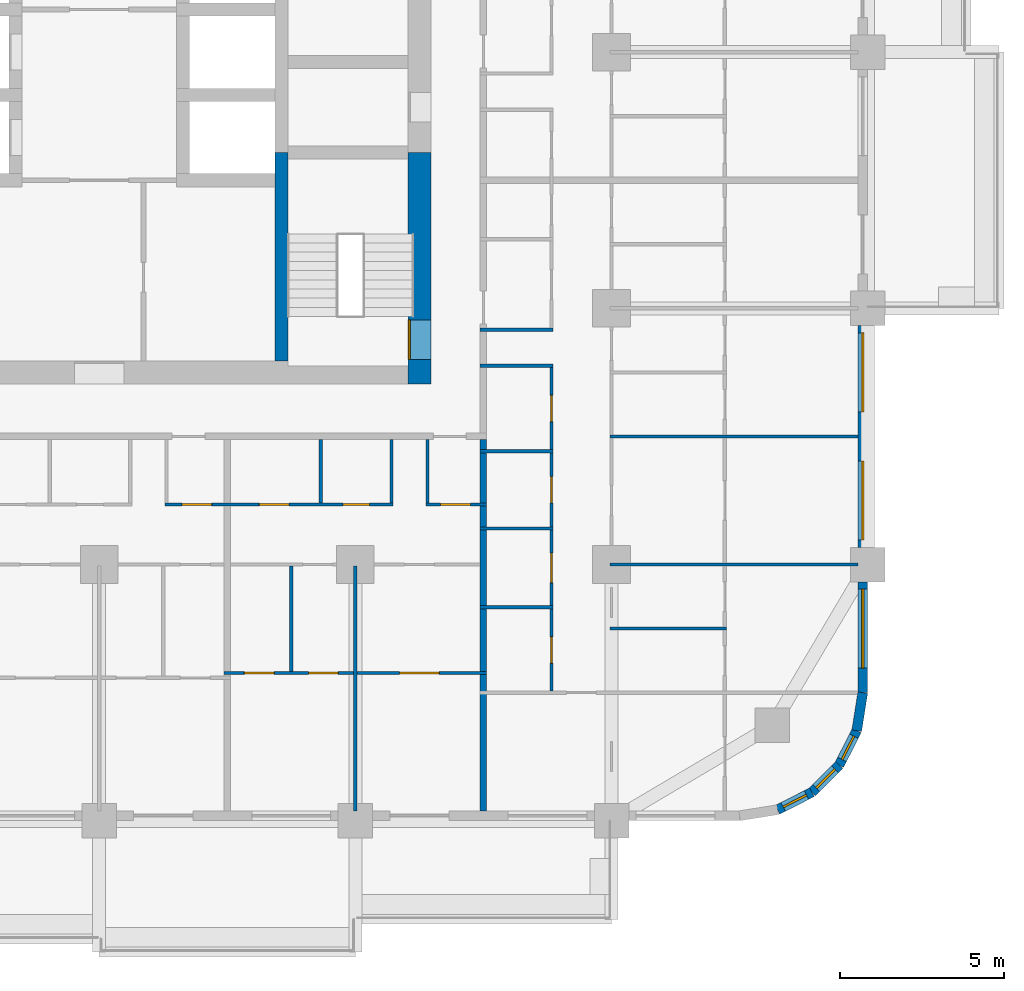
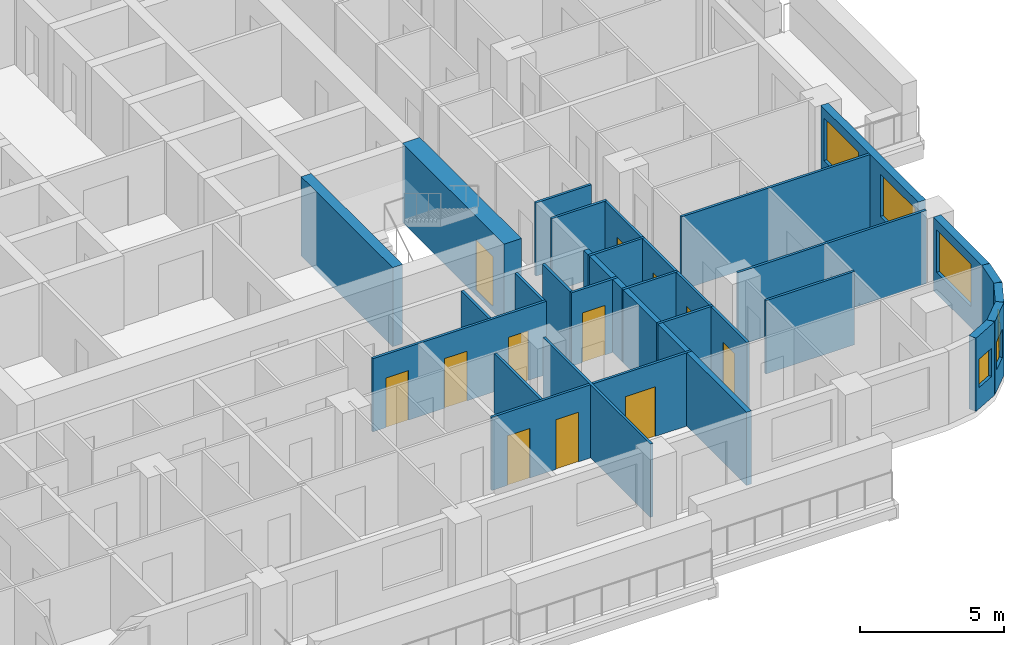
# One storey, part 7 of 17: 26 walls, 12 doors, 6 windows, 18 openings.
"""IFC4 building model written with IfcOpenShell, lengths in metres."""

from ifc_helpers import new_model, si_unit, direction, frame, frame_2d, origin, place, context, subcontext, project, spatial, rectangle, extrude, material, layer, layer_set, type_object, element, fill, save


model = new_model("IFC4")

# Units and contexts
model_context = context("Model", 3, precision=1e-05, world=origin(), true_north=direction((0.0, 1.0)))
body_context = subcontext(model_context, "Body", "Model", "MODEL_VIEW")
ifc_project = project(units=[si_unit("LENGTHUNIT", "METRE"), si_unit("AREAUNIT", "SQUARE_METRE"), si_unit("VOLUMEUNIT", "CUBIC_METRE"), si_unit("PLANEANGLEUNIT", "RADIAN"), si_unit("MASSUNIT", "GRAM", prefix="KILO")], contexts=[model_context])

# Site, building, storey
site_placement = place(None, origin())
site = spatial("IfcSite", under=ifc_project, at=site_placement, CompositionType="ELEMENT")
building_placement = place(site_placement, origin())
building = spatial("IfcBuilding", under=site, at=building_placement, Name="Ludao Terraces", CompositionType="ELEMENT")
storey_placement = place(building_placement, frame((0.0, 0.0, 43.300048828125)))
storey = spatial("IfcBuildingStorey", under=building, at=storey_placement, Name="L11", CompositionType="ELEMENT", Elevation=43.300048828125)

# Wall, opening, door
ifc_material_1 = material(Name="Concrete C70", Category="concrete")
ifc_layer_1 = layer(ifc_material_1, 0.699951171875)
ifc_layer_set_1 = layer_set([ifc_layer_1], Name="Core wall 700 C70")
wall_type_1 = type_object("IfcWallType", Name="Core wall 700 C70", PredefinedType="SOLIDWALL", material=ifc_layer_set_1)
wall_1_placement = place(storey_placement, frame((94.75, 54.89990234375, -0.25), z_axis=(0.0, 0.0, 1.0), x_axis=(0.0, 1.0, 0.0)))
wall_1 = element("IfcWall", 1, at=wall_1_placement, inside=storey, type_object=wall_type_1, Name="Core wall L11 outer-E-S3", PredefinedType="SOLIDWALL", context=body_context, shape_type="SweptSolid", body=[
    extrude(rectangle(XDim=7.050048828125, YDim=0.699951171875, at=frame_2d((3.52490234375, 0.0))), origin(), (0.0, 0.0, 1.0), 3.349853515625),
])
opening_1_placement = place(wall_1_placement, frame((0.75, 0.0, 0.25)))
opening_1 = element("IfcOpeningElement", 2, at=opening_1_placement, cuts=wall_1, Name="Opening R03-059", PredefinedType="OPENING", context=body_context, shape_type="SweptSolid", body=[
    extrude(rectangle(XDim=1.199951171875, YDim=2.10009765625, at=frame_2d((0.60009765625, 1.050048828125))), frame((0.0, 0.35986328125, 0.0), z_axis=(0.0, -1.0, 0.0), x_axis=(1.0, 0.0, 0.0)), (0.0, 0.0, 1.0), 0.719970703125),
])
ifc_material_2 = material(Name="Steel Q235", Category="steel")
door_type_1 = type_object("IfcDoorType", Name="INT Stair door 1200", OperationType="DOUBLE_DOOR_SINGLE_SWING", PredefinedType="DOOR", material=ifc_material_2)
door_1_placement = place(opening_1_placement, origin())
door_1 = element("IfcDoor", 3, at=door_1_placement, inside=storey, type_object=door_type_1, Name="DOOR 059", OperationType="DOUBLE_DOOR_SINGLE_SWING", OverallHeight=2.10009765625, OverallWidth=1.199951171875, PredefinedType="DOOR", context=body_context, shape_type="SweptSolid", body=[
    extrude(rectangle(XDim=1.199951171875, YDim=2.10009765625, at=frame_2d((0.60009765625, 1.050048828125))), frame((0.0, 0.3349609375, 0.0), z_axis=(0.0, -1.0, 0.0), x_axis=(1.0, 0.0, 0.0)), (0.0, 0.0, 1.0), 0.050048828125),
])
fill(opening_1, door_1)

# Wall, opening, window
ifc_material_3 = material(Name="Granite cladding", Category="masonry")
ifc_layer_2 = layer(ifc_material_3, 0.0400390625, Category="stone")
ifc_material_4 = material(Name="Mineral wool")
ifc_layer_3 = layer(ifc_material_4, 0.06005859375)
ifc_material_5 = material(Name="Concrete C40", Category="concrete")
ifc_layer_4 = layer(ifc_material_5, 0.199951171875, Category="concrete")
ifc_layer_set_2 = layer_set([ifc_layer_2, ifc_layer_3, ifc_layer_4], Name="ENV Stone-clad wall 300")
wall_type_2 = type_object("IfcWallType", Name="ENV Stone-clad wall 300", PredefinedType="SOLIDWALL", material=ifc_layer_set_2)
wall_2_placement = place(storey_placement, frame((108.25, 45.5, 0.0), z_axis=(0.0, 0.0, 1.0), x_axis=(0.0, 1.0, 0.0)))
wall_2 = element("IfcWall", 4, at=wall_2_placement, inside=storey, type_object=wall_type_2, Name="EW-L11-E1", PredefinedType="SOLIDWALL", context=body_context, shape_type="SweptSolid", body=[
    extrude(rectangle(XDim=3.375, YDim=0.300048828125, at=frame_2d((1.6875, 0.0))), origin(), (0.0, 0.0, 1.0), 3.099853515625),
])
opening_2_placement = place(wall_2_placement, frame((0.75, 0.0, 0.89990234375)))
opening_2 = element("IfcOpeningElement", 5, at=opening_2_placement, cuts=wall_2, Name="Opening W1", PredefinedType="OPENING", context=body_context, shape_type="SweptSolid", body=[
    extrude(rectangle(XDim=2.39990234375, YDim=1.800048828125, at=frame_2d((1.199951171875, 0.89990234375))), frame((0.0, 0.16015625, 0.0), z_axis=(0.0, -1.0, 0.0), x_axis=(1.0, 0.0, 0.0)), (0.0, 0.0, 1.0), 0.320068359375),
])
ifc_material_6 = material(Name="Clear glass in aluminium frame", Category="aluminium")
ifc_layer_5 = layer(ifc_material_6, 0.06005859375)
ifc_layer_set_3 = layer_set([ifc_layer_5], Name="ENV Window W1 2400x1800")
window_type_1 = type_object("IfcWindowType", Name="ENV Window W1 2400x1800", PartitioningType="DOUBLE_PANEL_VERTICAL", PredefinedType="WINDOW", material=ifc_layer_set_3)
window_1_placement = place(opening_2_placement, origin())
window_1 = element("IfcWindow", 6, at=window_1_placement, inside=storey, type_object=window_type_1, Name="W-L11-E1-1", OverallHeight=1.800048828125, OverallWidth=2.39990234375, PartitioningType="DOUBLE_PANEL_VERTICAL", PredefinedType="WINDOW", context=body_context, shape_type="SweptSolid", body=[
    extrude(rectangle(XDim=2.39990234375, YDim=1.800048828125, at=frame_2d((1.199951171875, 0.89990234375))), frame((0.0, 0.030029296875, 0.0), z_axis=(0.0, -1.0, 0.0), x_axis=(1.0, 0.0, 0.0)), (0.0, 0.0, 1.0), 0.06005859375),
])
fill(opening_2, window_1)

# Wall, openings, windows
wall_3_placement = place(storey_placement, frame((108.25, 49.925048828125, 0.0), z_axis=(0.0, 0.0, 1.0), x_axis=(0.0, 1.0, 0.0)))
wall_3 = element("IfcWall", 7, at=wall_3_placement, inside=storey, type_object=wall_type_2, Name="EW-L11-E2", PredefinedType="SOLIDWALL", context=body_context, shape_type="SweptSolid", body=[
    extrude(rectangle(XDim=6.75, YDim=0.300048828125, at=frame_2d((3.375, 0.0))), origin(), (0.0, 0.0, 1.0), 3.099853515625),
])
opening_3_placement = place(wall_3_placement, frame((0.22509765625, 0.0, 0.89990234375)))
opening_3 = element("IfcOpeningElement", 8, at=opening_3_placement, cuts=wall_3, Name="Opening W1", PredefinedType="OPENING", context=body_context, shape_type="SweptSolid", body=[
    extrude(rectangle(XDim=2.39990234375, YDim=1.800048828125, at=frame_2d((1.199951171875, 0.89990234375))), frame((0.0, 0.16015625, 0.0), z_axis=(0.0, -1.0, 0.0), x_axis=(1.0, 0.0, 0.0)), (0.0, 0.0, 1.0), 0.320068359375),
])
opening_4_placement = place(wall_3_placement, frame((4.125, 0.0, 0.89990234375)))
opening_4 = element("IfcOpeningElement", 9, at=opening_4_placement, cuts=wall_3, Name="Opening W1", PredefinedType="OPENING", context=body_context, shape_type="SweptSolid", body=[
    extrude(rectangle(XDim=2.39990234375, YDim=1.800048828125, at=frame_2d((1.199951171875, 0.89990234375))), frame((0.0, 0.16015625, 0.0), z_axis=(0.0, -1.0, 0.0), x_axis=(1.0, 0.0, 0.0)), (0.0, 0.0, 1.0), 0.320068359375),
])
window_2_placement = place(opening_3_placement, origin())
window_2 = element("IfcWindow", 10, at=window_2_placement, inside=storey, type_object=window_type_1, Name="W-L11-E2-1", OverallHeight=1.800048828125, OverallWidth=2.39990234375, PartitioningType="DOUBLE_PANEL_VERTICAL", PredefinedType="WINDOW", context=body_context, shape_type="SweptSolid", body=[
    extrude(rectangle(XDim=2.39990234375, YDim=1.800048828125, at=frame_2d((1.199951171875, 0.89990234375))), frame((0.0, 0.030029296875, 0.0), z_axis=(0.0, -1.0, 0.0), x_axis=(1.0, 0.0, 0.0)), (0.0, 0.0, 1.0), 0.06005859375),
])
fill(opening_3, window_2)
window_3_placement = place(opening_4_placement, origin())
window_3 = element("IfcWindow", 11, at=window_3_placement, inside=storey, type_object=window_type_1, Name="W-L11-E2-2", OverallHeight=1.800048828125, OverallWidth=2.39990234375, PartitioningType="DOUBLE_PANEL_VERTICAL", PredefinedType="WINDOW", context=body_context, shape_type="SweptSolid", body=[
    extrude(rectangle(XDim=2.39990234375, YDim=1.800048828125, at=frame_2d((1.199951171875, 0.89990234375))), frame((0.0, 0.030029296875, 0.0), z_axis=(0.0, -1.0, 0.0), x_axis=(1.0, 0.0, 0.0)), (0.0, 0.0, 1.0), 0.06005859375),
])
fill(opening_4, window_3)

# Wall, opening, window
wall_4_placement = place(storey_placement, frame((105.65869140625, 41.93359375, 0.0), z_axis=(0.0, 0.0, 1.0), x_axis=(0.890988677504, 0.454025524128, 0.0)))
wall_4 = element("IfcWall", 12, at=wall_4_placement, inside=storey, type_object=wall_type_2, Name="EW-L11-SE2", PredefinedType="SOLIDWALL", context=body_context, shape_type="SweptSolid", body=[
    extrude(rectangle(XDim=1.17333984375, YDim=0.300048828125, at=frame_2d((0.586669921875, 0.0))), origin(), (0.0, 0.0, 1.0), 3.099853515625),
])
opening_5_placement = place(wall_4_placement, frame((0.1865234375, 0.0, 0.89990234375)))
opening_5 = element("IfcOpeningElement", 13, at=opening_5_placement, cuts=wall_4, Name="Opening W3", PredefinedType="OPENING", context=body_context, shape_type="SweptSolid", body=[
    extrude(rectangle(XDim=0.800048828125, YDim=1.199951171875, at=frame_2d((0.39990234375, 0.60009765625))), frame((0.0, 0.16015625, 0.0), z_axis=(0.0, -1.0, 0.0), x_axis=(1.0, 0.0, 0.0)), (0.0, 0.0, 1.0), 0.320068359375),
])
ifc_layer_6 = layer(ifc_material_6, 0.06005859375)
ifc_layer_set_4 = layer_set([ifc_layer_6], Name="ENV Window W3 800x1200")
window_type_2 = type_object("IfcWindowType", Name="ENV Window W3 800x1200", PartitioningType="SINGLE_PANEL", PredefinedType="WINDOW", material=ifc_layer_set_4)
window_4_placement = place(opening_5_placement, origin())
window_4 = element("IfcWindow", 14, at=window_4_placement, inside=storey, type_object=window_type_2, Name="W-L11-SE2", OverallHeight=1.199951171875, OverallWidth=0.800048828125, PartitioningType="SINGLE_PANEL", PredefinedType="WINDOW", context=body_context, shape_type="SweptSolid", body=[
    extrude(rectangle(XDim=0.800048828125, YDim=1.199951171875, at=frame_2d((0.39990234375, 0.60009765625))), frame((0.0, 0.030029296875, 0.0), z_axis=(0.0, -1.0, 0.0), x_axis=(1.0, 0.0, 0.0)), (0.0, 0.0, 1.0), 0.06005859375),
])
fill(opening_5, window_4)

wall_5_placement = place(storey_placement, frame((106.7041015625, 42.46630859375, 0.0), z_axis=(0.0, 0.0, 1.0), x_axis=(0.707106781187, 0.707106781187, 0.0)))
wall_5 = element("IfcWall", 15, at=wall_5_placement, inside=storey, type_object=wall_type_2, Name="EW-L11-SE3", PredefinedType="SOLIDWALL", context=body_context, shape_type="SweptSolid", body=[
    extrude(rectangle(XDim=1.173095703125, YDim=0.300048828125, at=frame_2d((0.58642578125, 0.0))), origin(), (0.0, 0.0, 1.0), 3.099853515625),
])
opening_6_placement = place(wall_5_placement, frame((0.1865234375, 0.0, 0.89990234375)))
opening_6 = element("IfcOpeningElement", 16, at=opening_6_placement, cuts=wall_5, Name="Opening W3", PredefinedType="OPENING", context=body_context, shape_type="SweptSolid", body=[
    extrude(rectangle(XDim=0.800048828125, YDim=1.199951171875, at=frame_2d((0.39990234375, 0.60009765625))), frame((0.0, 0.16015625, 0.0), z_axis=(0.0, -1.0, 0.0), x_axis=(1.0, 0.0, 0.0)), (0.0, 0.0, 1.0), 0.320068359375),
])
window_5_placement = place(opening_6_placement, origin())
window_5 = element("IfcWindow", 17, at=window_5_placement, inside=storey, type_object=window_type_2, Name="W-L11-SE3", OverallHeight=1.199951171875, OverallWidth=0.800048828125, PartitioningType="SINGLE_PANEL", PredefinedType="WINDOW", context=body_context, shape_type="SweptSolid", body=[
    extrude(rectangle(XDim=0.800048828125, YDim=1.199951171875, at=frame_2d((0.39990234375, 0.60009765625))), frame((0.0, 0.030029296875, 0.0), z_axis=(0.0, -1.0, 0.0), x_axis=(1.0, 0.0, 0.0)), (0.0, 0.0, 1.0), 0.06005859375),
])
fill(opening_6, window_5)

wall_6_placement = place(storey_placement, frame((107.53369140625, 43.2958984375, 0.0), z_axis=(0.0, 0.0, 1.0), x_axis=(0.454025524128, 0.890988677504, 0.0)))
wall_6 = element("IfcWall", 18, at=wall_6_placement, inside=storey, type_object=wall_type_2, Name="EW-L11-SE4", PredefinedType="SOLIDWALL", context=body_context, shape_type="SweptSolid", body=[
    extrude(rectangle(XDim=1.17333984375, YDim=0.300048828125, at=frame_2d((0.586669921875, 0.0))), origin(), (0.0, 0.0, 1.0), 3.099853515625),
])
opening_7_placement = place(wall_6_placement, frame((0.1865234375, 0.0, 0.89990234375)))
opening_7 = element("IfcOpeningElement", 19, at=opening_7_placement, cuts=wall_6, Name="Opening W3", PredefinedType="OPENING", context=body_context, shape_type="SweptSolid", body=[
    extrude(rectangle(XDim=0.800048828125, YDim=1.199951171875, at=frame_2d((0.39990234375, 0.60009765625))), frame((0.0, 0.16015625, 0.0), z_axis=(0.0, -1.0, 0.0), x_axis=(1.0, 0.0, 0.0)), (0.0, 0.0, 1.0), 0.320068359375),
])
window_6_placement = place(opening_7_placement, origin())
window_6 = element("IfcWindow", 20, at=window_6_placement, inside=storey, type_object=window_type_2, Name="W-L11-SE4", OverallHeight=1.199951171875, OverallWidth=0.800048828125, PartitioningType="SINGLE_PANEL", PredefinedType="WINDOW", context=body_context, shape_type="SweptSolid", body=[
    extrude(rectangle(XDim=0.800048828125, YDim=1.199951171875, at=frame_2d((0.39990234375, 0.60009765625))), frame((0.0, 0.030029296875, 0.0), z_axis=(0.0, -1.0, 0.0), x_axis=(1.0, 0.0, 0.0)), (0.0, 0.0, 1.0), 0.06005859375),
])
fill(opening_7, window_6)

# Wall
wall_7_placement = place(storey_placement, frame((108.06640625, 44.34130859375, 0.0), z_axis=(0.0, 0.0, 1.0), x_axis=(0.156496880861, 0.987678452879, 0.0)))
element("IfcWall", 21, at=wall_7_placement, inside=storey, type_object=wall_type_2, Name="EW-L11-SE5", PredefinedType="SOLIDWALL", context=body_context, shape_type="SweptSolid", body=[
    extrude(rectangle(XDim=1.173095703125, YDim=0.300048828125, at=frame_2d((0.58642578125, 0.0))), origin(), (0.0, 0.0, 1.0), 3.099853515625),
])

# Wall, openings, doors
ifc_material_7 = material(Name="Gypsum plasterboard", Category="gypsum")
ifc_layer_7 = layer(ifc_material_7, 0.012451171875, Category="gypsum")
ifc_layer_8 = layer(ifc_material_4, 0.06005859375, Name="insulation")
ifc_layer_9 = layer(ifc_material_2, 0.014892578125, Name="stud")
ifc_layer_10 = layer(ifc_material_7, 0.012451171875, Category="gypsum")
ifc_layer_set_5 = layer_set([ifc_layer_7, ifc_layer_8, ifc_layer_9, ifc_layer_10], Name="INT Partition 100")
wall_type_3 = type_object("IfcWallType", Name="INT Partition 100", PredefinedType="PARTITIONING", material=ifc_layer_set_5)
wall_8_placement = place(storey_placement, frame((88.800048828125, 46.10009765625, 0.0), z_axis=(0.0, 0.0, 1.0), x_axis=(1.0, 0.0, 0.0)))
wall_8 = element("IfcWall", 22, at=wall_8_placement, inside=storey, type_object=wall_type_3, Name="PW-L11-PW004", PredefinedType="PARTITIONING", context=body_context, shape_type="SweptSolid", body=[
    extrude(rectangle(XDim=8.0, YDim=0.10009765625, at=frame_2d((4.0, 0.0))), origin(), (0.0, 0.0, 1.0), 3.099853515625),
])
opening_8_placement = place(wall_8_placement, frame((0.625, 0.0, 0.0)))
opening_8 = element("IfcOpeningElement", 23, at=opening_8_placement, cuts=wall_8, Name="Opening R03-013", PredefinedType="OPENING", context=body_context, shape_type="SweptSolid", body=[
    extrude(rectangle(XDim=0.89990234375, YDim=2.10009765625, at=frame_2d((0.449951171875, 1.050048828125))), frame((0.0, 0.06005859375, 0.0), z_axis=(0.0, -1.0, 0.0), x_axis=(1.0, 0.0, 0.0)), (0.0, 0.0, 1.0), 0.1201171875),
])
opening_9_placement = place(wall_8_placement, frame((2.574951171875, 0.0, 0.0)))
opening_9 = element("IfcOpeningElement", 24, at=opening_9_placement, cuts=wall_8, Name="Opening R03-014", PredefinedType="OPENING", context=body_context, shape_type="SweptSolid", body=[
    extrude(rectangle(XDim=0.89990234375, YDim=2.10009765625, at=frame_2d((0.449951171875, 1.050048828125))), frame((0.0, 0.06005859375, 0.0), z_axis=(0.0, -1.0, 0.0), x_axis=(1.0, 0.0, 0.0)), (0.0, 0.0, 1.0), 0.1201171875),
])
opening_10_placement = place(wall_8_placement, frame((5.35009765625, 0.0, 0.0)))
opening_10 = element("IfcOpeningElement", 25, at=opening_10_placement, cuts=wall_8, Name="Opening R03-015", PredefinedType="OPENING", context=body_context, shape_type="SweptSolid", body=[
    extrude(rectangle(XDim=1.199951171875, YDim=2.10009765625, at=frame_2d((0.60009765625, 1.050048828125))), frame((0.0, 0.06005859375, 0.0), z_axis=(0.0, -1.0, 0.0), x_axis=(1.0, 0.0, 0.0)), (0.0, 0.0, 1.0), 0.1201171875),
])
ifc_material_8 = material(Name="Timber door leaf", Category="wood")
door_type_2 = type_object("IfcDoorType", Name="INT Bathroom door 900", OperationType="SINGLE_SWING_LEFT", PredefinedType="DOOR", material=ifc_material_8)
door_2_placement = place(opening_8_placement, origin())
door_2 = element("IfcDoor", 26, at=door_2_placement, inside=storey, type_object=door_type_2, Name="DOOR 013", OperationType="SINGLE_SWING_LEFT", OverallHeight=2.10009765625, OverallWidth=0.89990234375, PredefinedType="DOOR", context=body_context, shape_type="SweptSolid", body=[
    extrude(rectangle(XDim=0.89990234375, YDim=2.10009765625, at=frame_2d((0.449951171875, 1.050048828125))), frame((0.0, 0.02490234375, 0.0), z_axis=(0.0, -1.0, 0.0), x_axis=(1.0, 0.0, 0.0)), (0.0, 0.0, 1.0), 0.050048828125),
])
fill(opening_8, door_2)
door_type_3 = type_object("IfcDoorType", Name="INT Double door 1200", OperationType="DOUBLE_DOOR_SINGLE_SWING", PredefinedType="DOOR", material=ifc_material_8)
door_3_placement = place(opening_10_placement, origin())
door_3 = element("IfcDoor", 27, at=door_3_placement, inside=storey, type_object=door_type_3, Name="DOOR 015", OperationType="DOUBLE_DOOR_SINGLE_SWING", OverallHeight=2.10009765625, OverallWidth=1.199951171875, PredefinedType="DOOR", context=body_context, shape_type="SweptSolid", body=[
    extrude(rectangle(XDim=1.199951171875, YDim=2.10009765625, at=frame_2d((0.60009765625, 1.050048828125))), frame((0.0, 0.02490234375, 0.0), z_axis=(0.0, -1.0, 0.0), x_axis=(1.0, 0.0, 0.0)), (0.0, 0.0, 1.0), 0.050048828125),
])
fill(opening_10, door_3)
door_type_4 = type_object("IfcDoorType", Name="INT Room door 900", OperationType="SINGLE_SWING_LEFT", PredefinedType="DOOR", material=ifc_material_8)
door_4_placement = place(opening_9_placement, origin())
door_4 = element("IfcDoor", 28, at=door_4_placement, inside=storey, type_object=door_type_4, Name="DOOR 014", OperationType="SINGLE_SWING_RIGHT", OverallHeight=2.10009765625, OverallWidth=0.89990234375, PredefinedType="DOOR", context=body_context, shape_type="SweptSolid", body=[
    extrude(rectangle(XDim=0.89990234375, YDim=2.10009765625, at=frame_2d((0.449951171875, 1.050048828125))), frame((0.0, 0.02490234375, 0.0), z_axis=(0.0, -1.0, 0.0), x_axis=(1.0, 0.0, 0.0)), (0.0, 0.0, 1.0), 0.050048828125),
])
fill(opening_9, door_4)

# Walls
wall_9_placement = place(storey_placement, frame((100.550048828125, 47.449951171875, 0.0), z_axis=(0.0, 0.0, 1.0), x_axis=(1.0, 0.0, 0.0)))
element("IfcWall", 29, at=wall_9_placement, inside=storey, type_object=wall_type_3, Name="PW-L11-PW006", PredefinedType="PARTITIONING", context=body_context, shape_type="SweptSolid", body=[
    extrude(rectangle(XDim=3.550048828125, YDim=0.10009765625, at=frame_2d((1.77490234375, 0.0))), origin(), (0.0, 0.0, 1.0), 3.099853515625),
])
wall_10_placement = place(storey_placement, frame((96.60009765625, 48.10009765625, 0.0), z_axis=(0.0, 0.0, 1.0), x_axis=(1.0, 0.0, 0.0)))
element("IfcWall", 30, at=wall_10_placement, inside=storey, type_object=wall_type_3, Name="PW-L11-PW007", PredefinedType="PARTITIONING", context=body_context, shape_type="SweptSolid", body=[
    extrude(rectangle(XDim=2.219970703125, YDim=0.10009765625, at=frame_2d((1.10986328125, 0.0))), origin(), (0.0, 0.0, 1.0), 3.099853515625),
])
wall_11_placement = place(storey_placement, frame((100.550048828125, 49.39990234375, 0.0), z_axis=(0.0, 0.0, 1.0), x_axis=(1.0, 0.0, 0.0)))
element("IfcWall", 31, at=wall_11_placement, inside=storey, type_object=wall_type_3, Name="PW-L11-PW011", PredefinedType="PARTITIONING", context=body_context, shape_type="SweptSolid", body=[
    extrude(rectangle(XDim=7.550048828125, YDim=0.10009765625, at=frame_2d((3.77490234375, 0.0))), origin(), (0.0, 0.0, 1.0), 3.099853515625),
])
wall_12_placement = place(storey_placement, frame((96.60009765625, 50.5, 0.0), z_axis=(0.0, 0.0, 1.0), x_axis=(1.0, 0.0, 0.0)))
element("IfcWall", 32, at=wall_12_placement, inside=storey, type_object=wall_type_3, Name="PW-L11-PW013", PredefinedType="PARTITIONING", context=body_context, shape_type="SweptSolid", body=[
    extrude(rectangle(XDim=2.219970703125, YDim=0.10009765625, at=frame_2d((1.10986328125, 0.0))), origin(), (0.0, 0.0, 1.0), 3.099853515625),
])

# Wall, openings, doors
wall_13_placement = place(storey_placement, frame((87.0, 51.22998046875, 0.0), z_axis=(0.0, 0.0, 1.0), x_axis=(1.0, 0.0, 0.0)))
wall_13 = element("IfcWall", 33, at=wall_13_placement, inside=storey, type_object=wall_type_3, Name="PW-L11-PW016", PredefinedType="PARTITIONING", context=body_context, shape_type="SweptSolid", body=[
    extrude(rectangle(XDim=6.9501953125, YDim=0.10009765625, at=frame_2d((3.47509765625, 0.0))), origin(), (0.0, 0.0, 1.0), 3.099853515625),
])
opening_11_placement = place(wall_13_placement, frame((0.525146484375, 0.0, 0.0)))
opening_11 = element("IfcOpeningElement", 34, at=opening_11_placement, cuts=wall_13, Name="Opening R03-037", PredefinedType="OPENING", context=body_context, shape_type="SweptSolid", body=[
    extrude(rectangle(XDim=0.89990234375, YDim=2.10009765625, at=frame_2d((0.449951171875, 1.050048828125))), frame((0.0, 0.06005859375, 0.0), z_axis=(0.0, -1.0, 0.0), x_axis=(1.0, 0.0, 0.0)), (0.0, 0.0, 1.0), 0.1201171875),
])
opening_12_placement = place(wall_13_placement, frame((2.875, 0.0, 0.0)))
opening_12 = element("IfcOpeningElement", 35, at=opening_12_placement, cuts=wall_13, Name="Opening R03-038", PredefinedType="OPENING", context=body_context, shape_type="SweptSolid", body=[
    extrude(rectangle(XDim=0.89990234375, YDim=2.10009765625, at=frame_2d((0.449951171875, 1.050048828125))), frame((0.0, 0.06005859375, 0.0), z_axis=(0.0, -1.0, 0.0), x_axis=(1.0, 0.0, 0.0)), (0.0, 0.0, 1.0), 0.1201171875),
])
opening_13_placement = place(wall_13_placement, frame((5.425048828125, 0.0, 0.0)))
opening_13 = element("IfcOpeningElement", 36, at=opening_13_placement, cuts=wall_13, Name="Opening R03-039", PredefinedType="OPENING", context=body_context, shape_type="SweptSolid", body=[
    extrude(rectangle(XDim=0.800048828125, YDim=2.10009765625, at=frame_2d((0.39990234375, 1.050048828125))), frame((0.0, 0.06005859375, 0.0), z_axis=(0.0, -1.0, 0.0), x_axis=(1.0, 0.0, 0.0)), (0.0, 0.0, 1.0), 0.1201171875),
])
door_5_placement = place(opening_11_placement, origin())
door_5 = element("IfcDoor", 37, at=door_5_placement, inside=storey, type_object=door_type_4, Name="DOOR 037", OperationType="SINGLE_SWING_RIGHT", OverallHeight=2.10009765625, OverallWidth=0.89990234375, PredefinedType="DOOR", context=body_context, shape_type="SweptSolid", body=[
    extrude(rectangle(XDim=0.89990234375, YDim=2.10009765625, at=frame_2d((0.449951171875, 1.050048828125))), frame((0.0, 0.02490234375, 0.0), z_axis=(0.0, -1.0, 0.0), x_axis=(1.0, 0.0, 0.0)), (0.0, 0.0, 1.0), 0.050048828125),
])
fill(opening_11, door_5)
door_6_placement = place(opening_12_placement, origin())
door_6 = element("IfcDoor", 38, at=door_6_placement, inside=storey, type_object=door_type_4, Name="DOOR 038", OperationType="SINGLE_SWING_LEFT", OverallHeight=2.10009765625, OverallWidth=0.89990234375, PredefinedType="DOOR", context=body_context, shape_type="SweptSolid", body=[
    extrude(rectangle(XDim=0.89990234375, YDim=2.10009765625, at=frame_2d((0.449951171875, 1.050048828125))), frame((0.0, 0.02490234375, 0.0), z_axis=(0.0, -1.0, 0.0), x_axis=(1.0, 0.0, 0.0)), (0.0, 0.0, 1.0), 0.050048828125),
])
fill(opening_12, door_6)
door_type_5 = type_object("IfcDoorType", Name="INT Store door 800", OperationType="SINGLE_SWING_LEFT", PredefinedType="DOOR", material=ifc_material_8)
door_7_placement = place(opening_13_placement, origin())
door_7 = element("IfcDoor", 39, at=door_7_placement, inside=storey, type_object=door_type_5, Name="DOOR 039", OperationType="SINGLE_SWING_RIGHT", OverallHeight=2.10009765625, OverallWidth=0.800048828125, PredefinedType="DOOR", context=body_context, shape_type="SweptSolid", body=[
    extrude(rectangle(XDim=0.800048828125, YDim=2.10009765625, at=frame_2d((0.39990234375, 1.050048828125))), frame((0.0, 0.02490234375, 0.0), z_axis=(0.0, -1.0, 0.0), x_axis=(1.0, 0.0, 0.0)), (0.0, 0.0, 1.0), 0.050048828125),
])
fill(opening_13, door_7)

# Wall, opening, door
wall_14_placement = place(storey_placement, frame((94.9501953125, 51.22998046875, 0.0), z_axis=(0.0, 0.0, 1.0), x_axis=(1.0, 0.0, 0.0)))
wall_14 = element("IfcWall", 40, at=wall_14_placement, inside=storey, type_object=wall_type_3, Name="PW-L11-PW017", PredefinedType="PARTITIONING", context=body_context, shape_type="SweptSolid", body=[
    extrude(rectangle(XDim=1.849853515625, YDim=0.10009765625, at=frame_2d((0.9248046875, 0.0))), origin(), (0.0, 0.0, 1.0), 3.099853515625),
])
opening_14_placement = place(wall_14_placement, frame((0.449951171875, 0.0, 0.0)))
opening_14 = element("IfcOpeningElement", 41, at=opening_14_placement, cuts=wall_14, Name="Opening R03-040", PredefinedType="OPENING", context=body_context, shape_type="SweptSolid", body=[
    extrude(rectangle(XDim=0.89990234375, YDim=2.10009765625, at=frame_2d((0.449951171875, 1.050048828125))), frame((0.0, 0.06005859375, 0.0), z_axis=(0.0, -1.0, 0.0), x_axis=(1.0, 0.0, 0.0)), (0.0, 0.0, 1.0), 0.1201171875),
])
door_8_placement = place(opening_14_placement, origin())
door_8 = element("IfcDoor", 42, at=door_8_placement, inside=storey, type_object=door_type_2, Name="DOOR 040", OperationType="SINGLE_SWING_RIGHT", OverallHeight=2.10009765625, OverallWidth=0.89990234375, PredefinedType="DOOR", context=body_context, shape_type="SweptSolid", body=[
    extrude(rectangle(XDim=0.89990234375, YDim=2.10009765625, at=frame_2d((0.449951171875, 1.050048828125))), frame((0.0, 0.02490234375, 0.0), z_axis=(0.0, -1.0, 0.0), x_axis=(1.0, 0.0, 0.0)), (0.0, 0.0, 1.0), 0.050048828125),
])
fill(opening_14, door_8)

# Walls
wall_15_placement = place(storey_placement, frame((96.60009765625, 52.85009765625, 0.0), z_axis=(0.0, 0.0, 1.0), x_axis=(1.0, 0.0, 0.0)))
element("IfcWall", 43, at=wall_15_placement, inside=storey, type_object=wall_type_3, Name="PW-L11-PW018", PredefinedType="PARTITIONING", context=body_context, shape_type="SweptSolid", body=[
    extrude(rectangle(XDim=2.219970703125, YDim=0.10009765625, at=frame_2d((1.10986328125, 0.0))), origin(), (0.0, 0.0, 1.0), 3.099853515625),
])
wall_16_placement = place(storey_placement, frame((100.550048828125, 53.300048828125, 0.0), z_axis=(0.0, 0.0, 1.0), x_axis=(1.0, 0.0, 0.0)))
element("IfcWall", 44, at=wall_16_placement, inside=storey, type_object=wall_type_3, Name="PW-L11-PW022", PredefinedType="PARTITIONING", context=body_context, shape_type="SweptSolid", body=[
    extrude(rectangle(XDim=7.550048828125, YDim=0.10009765625, at=frame_2d((3.77490234375, 0.0))), origin(), (0.0, 0.0, 1.0), 3.099853515625),
])
for number, where, z_axis, x_axis, name in (
    (45, (96.60009765625, 55.449951171875, 0.0), (0.0, 0.0, 1.0), (1.0, 0.0, 0.0), "PW-L11-PW025"),
    (46, (96.60009765625, 56.550048828125, 0.0), (0.0, 0.0, 1.0), (1.0, 0.0, 0.0), "PW-L11-PW027"),
):
    element("IfcWall", number, at=place(storey_placement, frame(where, z_axis=z_axis, x_axis=x_axis)), inside=storey, type_object=wall_type_3, Name=name, PredefinedType="PARTITIONING", context=body_context, shape_type="SweptSolid", body=[
        extrude(rectangle(XDim=2.219970703125, YDim=0.10009765625, at=frame_2d((1.10986328125, 0.0))), origin(), (0.0, 0.0, 1.0), 3.099853515625),
    ])
wall_17_placement = place(storey_placement, frame((90.85009765625, 46.150146484375, 0.0), z_axis=(0.0, 0.0, 1.0), x_axis=(0.0, 1.0, 0.0)))
element("IfcWall", 47, at=wall_17_placement, inside=storey, type_object=wall_type_3, Name="PW-L11-PW110", PredefinedType="PARTITIONING", context=body_context, shape_type="SweptSolid", body=[
    extrude(rectangle(XDim=3.199951171875, YDim=0.10009765625, at=frame_2d((1.60009765625, 0.0))), origin(), (0.0, 0.0, 1.0), 3.099853515625),
])
wall_18_placement = place(storey_placement, frame((91.75, 51.280029296875, 0.0), z_axis=(0.0, 0.0, 1.0), x_axis=(0.0, 1.0, 0.0)))
element("IfcWall", 48, at=wall_18_placement, inside=storey, type_object=wall_type_3, Name="PW-L11-PW111", PredefinedType="PARTITIONING", context=body_context, shape_type="SweptSolid", body=[
    extrude(rectangle(XDim=1.920166015625, YDim=0.10009765625, at=frame_2d((0.9599609375, 0.0))), origin(), (0.0, 0.0, 1.0), 3.099853515625),
])
wall_19_placement = place(storey_placement, frame((92.800048828125, 41.900146484375, 0.0), z_axis=(0.0, 0.0, 1.0), x_axis=(0.0, 1.0, 0.0)))
element("IfcWall", 49, at=wall_19_placement, inside=storey, type_object=wall_type_3, Name="PW-L11-PW112", PredefinedType="PARTITIONING", context=body_context, shape_type="SweptSolid", body=[
    extrude(rectangle(XDim=7.449951171875, YDim=0.10009765625, at=frame_2d((3.72509765625, 0.0))), origin(), (0.0, 0.0, 1.0), 3.099853515625),
])
for number, where, z_axis, x_axis, name in (
    (50, (93.89990234375, 51.280029296875, 0.0), (0.0, 0.0, 1.0), (0.0, 1.0, 0.0), "PW-L11-PW114"),
    (51, (95.0, 51.280029296875, 0.0), (0.0, 0.0, 1.0), (0.0, 1.0, 0.0), "PW-L11-PW115"),
):
    element("IfcWall", number, at=place(storey_placement, frame(where, z_axis=z_axis, x_axis=x_axis)), inside=storey, type_object=wall_type_3, Name=name, PredefinedType="PARTITIONING", context=body_context, shape_type="SweptSolid", body=[
        extrude(rectangle(XDim=1.920166015625, YDim=0.10009765625, at=frame_2d((0.9599609375, 0.0))), origin(), (0.0, 0.0, 1.0), 3.099853515625),
    ])

# Wall, openings, doors
wall_20_placement = place(storey_placement, frame((98.77001953125, 45.550048828125, 0.0), z_axis=(0.0, 0.0, 1.0), x_axis=(0.0, 1.0, 0.0)))
wall_20 = element("IfcWall", 52, at=wall_20_placement, inside=storey, type_object=wall_type_3, Name="PW-L11-PW119", PredefinedType="PARTITIONING", context=body_context, shape_type="SweptSolid", body=[
    extrude(rectangle(XDim=9.85009765625, YDim=0.10009765625, at=frame_2d((4.925048828125, 0.0))), origin(), (0.0, 0.0, 1.0), 3.099853515625),
])
opening_15_placement = place(wall_20_placement, frame((0.85009765625, 0.0, 0.0)))
opening_15 = element("IfcOpeningElement", 53, at=opening_15_placement, cuts=wall_20, Name="Opening R03-018", PredefinedType="OPENING", context=body_context, shape_type="SweptSolid", body=[
    extrude(rectangle(XDim=0.800048828125, YDim=2.10009765625, at=frame_2d((0.39990234375, 1.050048828125))), frame((0.0, 0.06005859375, 0.0), z_axis=(0.0, -1.0, 0.0), x_axis=(1.0, 0.0, 0.0)), (0.0, 0.0, 1.0), 0.1201171875),
])
opening_16_placement = place(wall_20_placement, frame((3.300048828125, 0.0, 0.0)))
opening_16 = element("IfcOpeningElement", 54, at=opening_16_placement, cuts=wall_20, Name="Opening R03-024", PredefinedType="OPENING", context=body_context, shape_type="SweptSolid", body=[
    extrude(rectangle(XDim=0.89990234375, YDim=2.10009765625, at=frame_2d((0.449951171875, 1.050048828125))), frame((0.0, 0.06005859375, 0.0), z_axis=(0.0, -1.0, 0.0), x_axis=(1.0, 0.0, 0.0)), (0.0, 0.0, 1.0), 0.1201171875),
])
opening_17_placement = place(wall_20_placement, frame((5.72509765625, 0.0, 0.0)))
opening_17 = element("IfcOpeningElement", 55, at=opening_17_placement, cuts=wall_20, Name="Opening R03-045", PredefinedType="OPENING", context=body_context, shape_type="SweptSolid", body=[
    extrude(rectangle(XDim=0.800048828125, YDim=2.10009765625, at=frame_2d((0.39990234375, 1.050048828125))), frame((0.0, 0.06005859375, 0.0), z_axis=(0.0, -1.0, 0.0), x_axis=(1.0, 0.0, 0.0)), (0.0, 0.0, 1.0), 0.1201171875),
])
opening_18_placement = place(wall_20_placement, frame((8.199951171875, 0.0, 0.0)))
opening_18 = element("IfcOpeningElement", 56, at=opening_18_placement, cuts=wall_20, Name="Opening R03-050", PredefinedType="OPENING", context=body_context, shape_type="SweptSolid", body=[
    extrude(rectangle(XDim=0.800048828125, YDim=2.10009765625, at=frame_2d((0.39990234375, 1.050048828125))), frame((0.0, 0.06005859375, 0.0), z_axis=(0.0, -1.0, 0.0), x_axis=(1.0, 0.0, 0.0)), (0.0, 0.0, 1.0), 0.1201171875),
])
door_9_placement = place(opening_16_placement, origin())
door_9 = element("IfcDoor", 57, at=door_9_placement, inside=storey, type_object=door_type_2, Name="DOOR 024", OperationType="SINGLE_SWING_LEFT", OverallHeight=2.10009765625, OverallWidth=0.89990234375, PredefinedType="DOOR", context=body_context, shape_type="SweptSolid", body=[
    extrude(rectangle(XDim=0.89990234375, YDim=2.10009765625, at=frame_2d((0.449951171875, 1.050048828125))), frame((0.0, 0.02490234375, 0.0), z_axis=(0.0, -1.0, 0.0), x_axis=(1.0, 0.0, 0.0)), (0.0, 0.0, 1.0), 0.050048828125),
])
fill(opening_16, door_9)
door_10_placement = place(opening_15_placement, origin())
door_10 = element("IfcDoor", 58, at=door_10_placement, inside=storey, type_object=door_type_5, Name="DOOR 018", OperationType="SINGLE_SWING_LEFT", OverallHeight=2.10009765625, OverallWidth=0.800048828125, PredefinedType="DOOR", context=body_context, shape_type="SweptSolid", body=[
    extrude(rectangle(XDim=0.800048828125, YDim=2.10009765625, at=frame_2d((0.39990234375, 1.050048828125))), frame((0.0, 0.02490234375, 0.0), z_axis=(0.0, -1.0, 0.0), x_axis=(1.0, 0.0, 0.0)), (0.0, 0.0, 1.0), 0.050048828125),
])
fill(opening_15, door_10)
door_11_placement = place(opening_17_placement, origin())
door_11 = element("IfcDoor", 59, at=door_11_placement, inside=storey, type_object=door_type_5, Name="DOOR 045", OperationType="SINGLE_SWING_LEFT", OverallHeight=2.10009765625, OverallWidth=0.800048828125, PredefinedType="DOOR", context=body_context, shape_type="SweptSolid", body=[
    extrude(rectangle(XDim=0.800048828125, YDim=2.10009765625, at=frame_2d((0.39990234375, 1.050048828125))), frame((0.0, 0.02490234375, 0.0), z_axis=(0.0, -1.0, 0.0), x_axis=(1.0, 0.0, 0.0)), (0.0, 0.0, 1.0), 0.050048828125),
])
fill(opening_17, door_11)
door_12_placement = place(opening_18_placement, origin())
door_12 = element("IfcDoor", 60, at=door_12_placement, inside=storey, type_object=door_type_5, Name="DOOR 050", OperationType="SINGLE_SWING_LEFT", OverallHeight=2.10009765625, OverallWidth=0.800048828125, PredefinedType="DOOR", context=body_context, shape_type="SweptSolid", body=[
    extrude(rectangle(XDim=0.800048828125, YDim=2.10009765625, at=frame_2d((0.39990234375, 1.050048828125))), frame((0.0, 0.02490234375, 0.0), z_axis=(0.0, -1.0, 0.0), x_axis=(1.0, 0.0, 0.0)), (0.0, 0.0, 1.0), 0.050048828125),
])
fill(opening_18, door_12)

# Walls
ifc_material_9 = material(Name="Autoclaved aerated concrete block B06 A3.5", Category="concrete")
ifc_layer_11 = layer(ifc_material_9, 0.199951171875)
ifc_layer_set_6 = layer_set([ifc_layer_11], Name="INT Party wall 200")
wall_type_4 = type_object("IfcWallType", Name="INT Party wall 200", PredefinedType="PARTITIONING", material=ifc_layer_set_6)
wall_21_placement = place(storey_placement, frame((96.699951171875, 41.900146484375, 0.0), z_axis=(0.0, 0.0, 1.0), x_axis=(0.0, 1.0, 0.0)))
element("IfcWall", 61, at=wall_21_placement, inside=storey, type_object=wall_type_4, Name="PW-L11-PW116", PredefinedType="PARTITIONING", context=body_context, shape_type="SweptSolid", body=[
    extrude(rectangle(XDim=11.300048828125, YDim=0.199951171875, at=frame_2d((5.64990234375, 0.0))), origin(), (0.0, 0.0, 1.0), 3.099853515625),
])
ifc_material_10 = material(Name="Concrete C60", Category="concrete")
ifc_layer_12 = layer(ifc_material_10, 0.39990234375)
ifc_layer_set_7 = layer_set([ifc_layer_12], Name="Shaft wall 400 C60")
wall_type_5 = type_object("IfcWallType", Name="Shaft wall 400 C60", PredefinedType="SOLIDWALL", material=ifc_layer_set_7)
wall_22_placement = place(storey_placement, frame((90.550048828125, 55.60009765625, -0.25), z_axis=(0.0, 0.0, 1.0), x_axis=(0.0, 1.0, 0.0)))
element("IfcWall", 62, at=wall_22_placement, inside=storey, type_object=wall_type_5, Name="Core wall L11 back-E-S3", PredefinedType="SOLIDWALL", context=body_context, shape_type="SweptSolid", body=[
    extrude(rectangle(XDim=6.349853515625, YDim=0.39990234375, at=frame_2d((3.1748046875, 0.0))), origin(), (0.0, 0.0, 1.0), 3.349853515625),
])

save(model, "model.ifc")
